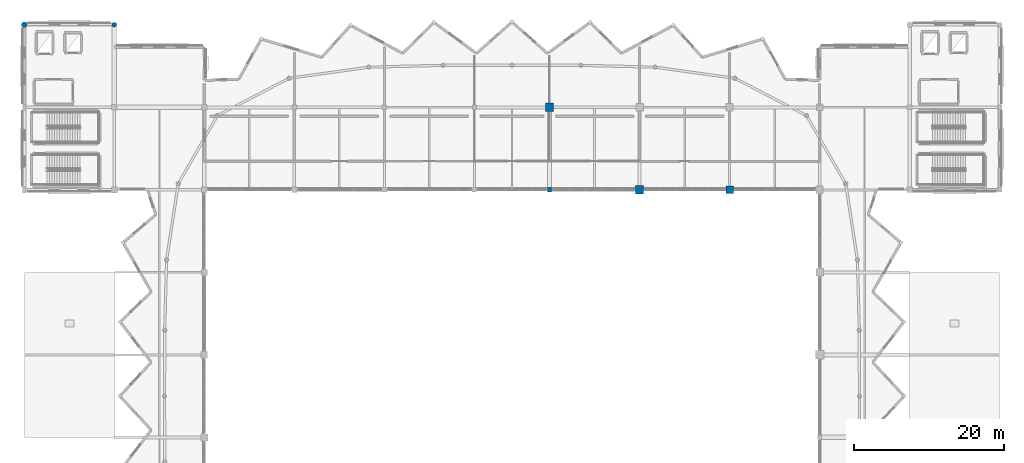
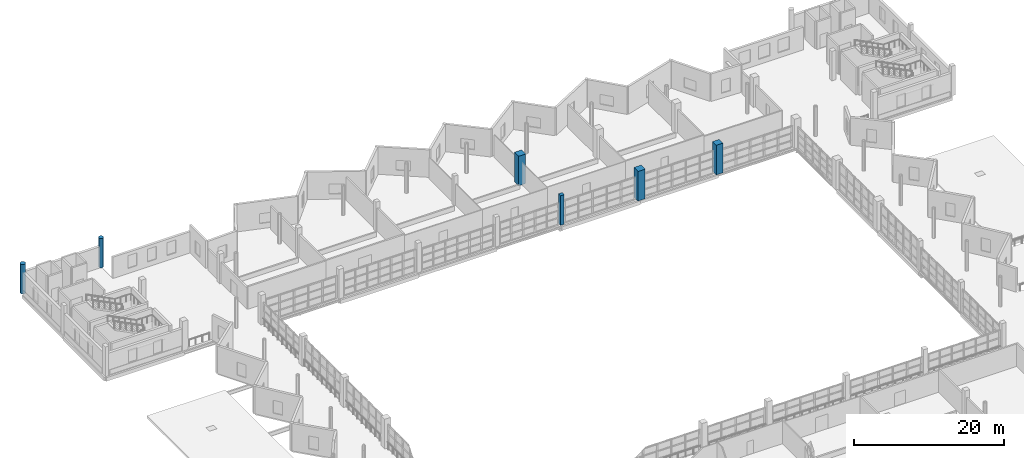
# One storey, part 8 of 53: 6 columns.
"""IFC4 building model written with IfcOpenShell, lengths in metres."""

from ifc_helpers import new_model, si_unit, direction, frame, origin, origin_2d, place, context, subcontext, project, spatial, rectangle, circle, extrude, material, material_profile, profile_set, type_object, element, save


model = new_model("IFC4")

# Units and contexts
model_context = context("Model", 3, precision=1e-05, world=origin(), true_north=direction((0.0, 1.0)))
body_context = subcontext(model_context, "Body", "Model", "MODEL_VIEW")
ifc_project = project(units=[si_unit("LENGTHUNIT", "METRE"), si_unit("AREAUNIT", "SQUARE_METRE"), si_unit("VOLUMEUNIT", "CUBIC_METRE"), si_unit("PLANEANGLEUNIT", "RADIAN"), si_unit("MASSUNIT", "GRAM", prefix="KILO")], contexts=[model_context])

# Site, building, storey
site_placement = place(None, origin())
site = spatial("IfcSite", under=ifc_project, at=site_placement, CompositionType="ELEMENT")
building_placement = place(site_placement, origin())
building = spatial("IfcBuilding", under=site, at=building_placement, Name="Luwafu Chhajja Arena", CompositionType="ELEMENT")
storey_placement = place(building_placement, frame((0.0, 0.0, 19.5)))
storey = spatial("IfcBuildingStorey", under=building, at=storey_placement, Name="L04", CompositionType="ELEMENT", Elevation=19.5)

# Columns
ifc_material_1 = material(Name="Concrete C40/50", Category="concrete")
ifc_material_profile_1 = material_profile(ifc_material_1, rectangle(XDim=1.0, YDim=1.0, at=origin_2d()), Name="RC 1000x1000")
ifc_profile_set_1 = profile_set([ifc_material_profile_1], Name="Concrete C40/50")
column_type_1 = type_object("IfcColumnType", Name="Bowl Primary Column RC 1000", PredefinedType="COLUMN", material=ifc_profile_set_1)
column_1_placement = place(storey_placement, frame((128.0, 77.0, 0.0), z_axis=(0.0, 0.0, 1.0), x_axis=(1.0, 0.0, 0.0)))
element("IfcColumn", 1, at=column_1_placement, inside=storey, type_object=column_type_1, Name="L04 Grid Column 12/H", PredefinedType="COLUMN", context=body_context, shape_type="SweptSolid", body=[
    extrude(rectangle(XDim=1.0, YDim=1.0, at=origin_2d()), origin(), (0.0, 0.0, 1.0), 4.800048828125),
])
ifc_material_profile_2 = material_profile(ifc_material_1, rectangle(XDim=1.10009765625, YDim=1.10009765625, at=origin_2d()), Name="RC 1100x1100")
ifc_profile_set_2 = profile_set([ifc_material_profile_2], Name="Concrete C40/50")
column_type_2 = type_object("IfcColumnType", Name="Bowl Rim Mega Column RC 1100", PredefinedType="COLUMN", material=ifc_profile_set_2)
for number, where, z_axis, x_axis, name in (
    (2, (104.0, 88.0, 0.0), (0.0, 0.0, 1.0), (1.0, 0.0, 0.0), "L04 Grid Column 10/J"),
    (3, (116.0, 77.0, 0.0), (0.0, 0.0, 1.0), (1.0, 0.0, 0.0), "L04 Grid Column 11/H"),
):
    element("IfcColumn", number, at=place(storey_placement, frame(where, z_axis=z_axis, x_axis=x_axis)), inside=storey, type_object=column_type_2, Name=name, PredefinedType="COLUMN", context=body_context, shape_type="SweptSolid", body=[
        extrude(rectangle(XDim=1.10009765625, YDim=1.10009765625, at=origin_2d()), origin(), (0.0, 0.0, 1.0), 4.800048828125),
    ])
ifc_material_2 = material(Name="Concrete C35/45", Category="concrete")
ifc_material_profile_3 = material_profile(ifc_material_2, circle(Radius=0.375, at=origin_2d()), Name="RC COL D750")
ifc_profile_set_3 = profile_set([ifc_material_profile_3], Name="Concrete C35/45")
column_type_3 = type_object("IfcColumnType", Name="Charbagh Cloister Pier D750", PredefinedType="COLUMN", material=ifc_profile_set_3)
column_2_placement = place(storey_placement, frame((34.0, 99.0, 0.0), z_axis=(0.0, 0.0, 1.0), x_axis=(1.0, 0.0, 0.0)))
element("IfcColumn", 4, at=column_2_placement, inside=storey, type_object=column_type_3, Name="L04 Grid Column 4/K", PredefinedType="COLUMN", context=body_context, shape_type="SweptSolid", body=[
    extrude(circle(Radius=0.375, at=origin_2d()), origin(), (0.0, 0.0, 1.0), 4.800048828125),
])
ifc_material_profile_4 = material_profile(ifc_material_2, circle(Radius=0.324951171875, at=origin_2d()), Name="RC COL D650")
ifc_profile_set_4 = profile_set([ifc_material_profile_4], Name="Concrete C35/45")
column_type_4 = type_object("IfcColumnType", Name="Courtyard Arcade Pier D650", PredefinedType="COLUMN", material=ifc_profile_set_4)
column_3_placement = place(storey_placement, frame((46.0, 99.0, 0.0), z_axis=(0.0, 0.0, 1.0), x_axis=(1.0, 0.0, 0.0)))
element("IfcColumn", 5, at=column_3_placement, inside=storey, type_object=column_type_4, Name="L04 Grid Column 5/K", PredefinedType="COLUMN", context=body_context, shape_type="SweptSolid", body=[
    extrude(circle(Radius=0.324951171875, at=origin_2d()), origin(), (0.0, 0.0, 1.0), 4.800048828125),
])
ifc_material_profile_5 = material_profile(ifc_material_2, rectangle(XDim=0.550048828125, YDim=0.550048828125, at=origin_2d()), Name="RC 550x550")
ifc_profile_set_5 = profile_set([ifc_material_profile_5], Name="Concrete C35/45")
column_type_5 = type_object("IfcColumnType", Name="Gallery Column RC 550", PredefinedType="COLUMN", material=ifc_profile_set_5)
column_4_placement = place(storey_placement, frame((104.0, 77.0, 0.0), z_axis=(0.0, 0.0, 1.0), x_axis=(1.0, 0.0, 0.0)))
element("IfcColumn", 6, at=column_4_placement, inside=storey, type_object=column_type_5, Name="L04 Grid Column 10/H", PredefinedType="COLUMN", context=body_context, shape_type="SweptSolid", body=[
    extrude(rectangle(XDim=0.550048828125, YDim=0.550048828125, at=origin_2d()), origin(), (0.0, 0.0, 1.0), 4.800048828125),
])

save(model, "model.ifc")
